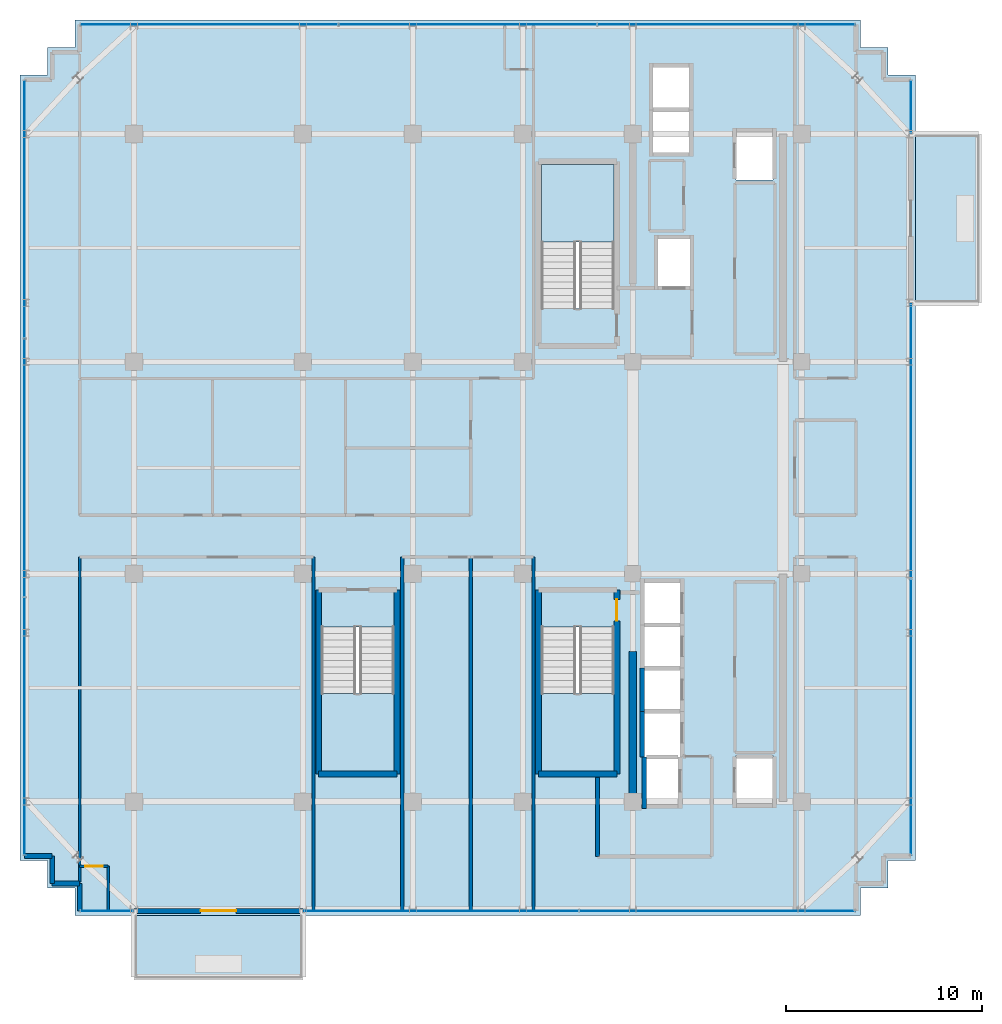
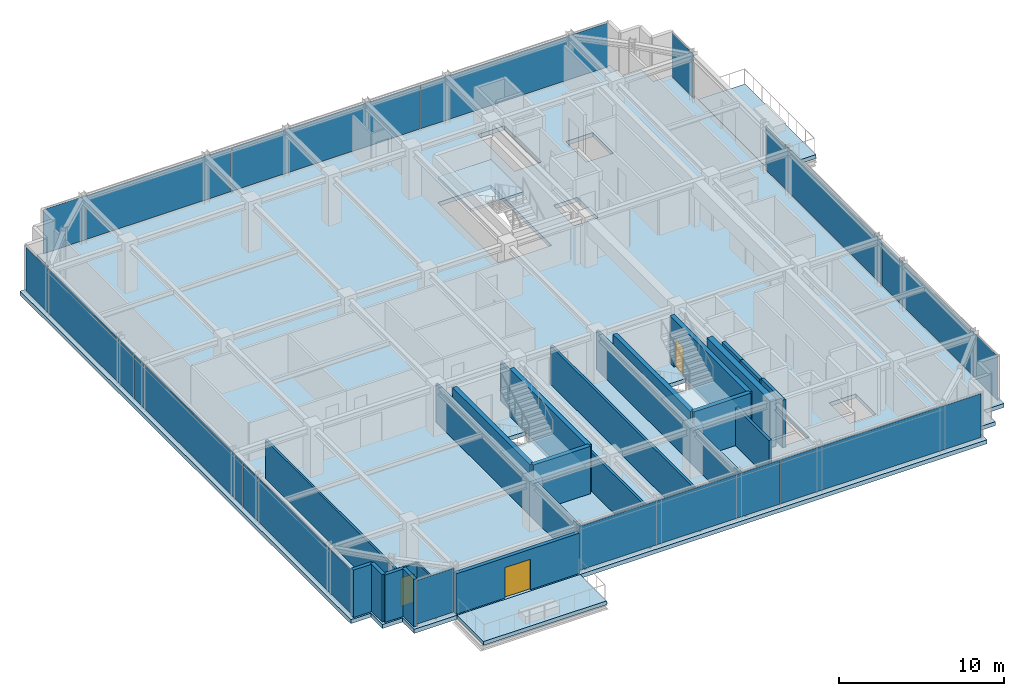
# One storey, part 26 of 32: 23 walls, 12 plates, 6 slabs, 3 doors, 3 openings, 9 elements without a shape of their own.
"""IFC4 building model written with IfcOpenShell, lengths in metres."""

from ifc_helpers import new_model, si_unit, direction, frame, frame_2d, origin, origin_2d, place, context, subcontext, project, spatial, polyline, rectangle, outline, extrude, source, transform, mapped, material, layer, layer_set, type_object, element, fill, aggregate, save


model = new_model("IFC4")

# Units and contexts
model_context = context("Model", 3, precision=1e-05, world=origin(), true_north=direction((0.0, 1.0)))
body_context = subcontext(model_context, "Body", "Model", "MODEL_VIEW")
ifc_project = project(units=[si_unit("LENGTHUNIT", "METRE"), si_unit("AREAUNIT", "SQUARE_METRE"), si_unit("VOLUMEUNIT", "CUBIC_METRE"), si_unit("PLANEANGLEUNIT", "RADIAN"), si_unit("MASSUNIT", "GRAM", prefix="KILO")], contexts=[model_context])

# Site, building, storey
site_placement = place(None, origin())
site = spatial("IfcSite", under=ifc_project, at=site_placement, CompositionType="ELEMENT")
building_placement = place(site_placement, origin())
building = spatial("IfcBuilding", under=site, at=building_placement, Name="Nahalor Promenade Grand Hotel", CompositionType="ELEMENT")
storey_placement = place(building_placement, frame((0.0, 0.0, 330.949951171875)))
storey = spatial("IfcBuildingStorey", under=building, at=storey_placement, Name="L85", CompositionType="ELEMENT", Elevation=330.949951171875)

# Stair, slab
ifc_material_1 = material(Name="Concrete B-50 (C40/50)", Category="concrete")
stair_type_1 = type_object("IfcStairType", Name="Stair-ST1", PredefinedType="HALF_TURN_STAIR", material=ifc_material_1)
stair_1_placement = place(storey_placement, origin())
stair_1 = element("IfcStair", 1, at=stair_1_placement, inside=storey, type_object=stair_type_1, Name="L85 ST1", PredefinedType="HALF_TURN_STAIR")
ifc_layer_1 = layer(ifc_material_1, 0.199951171875)
ifc_layer_set_1 = layer_set([ifc_layer_1], Name="Concrete B-50 (C40/50)")
slab_type_1 = type_object("IfcSlabType", Name="Landing-ST1", PredefinedType="LANDING", material=ifc_layer_set_1)
slab_1_placement = place(storey_placement, frame((0.0, 0.0, 1.699951171875)))
slab_1 = element("IfcSlab", 2, at=slab_1_placement, type_object=slab_type_1, Name="ST1 landing 1", PredefinedType="LANDING", context=body_context, shape_type="SweptSolid", body=[
    extrude(outline(polyline([(7.449951171875, 11.5), (7.449951171875, 15.449951171875), (3.75, 15.449951171875), (3.75, 11.5), (7.449951171875, 11.5)])), origin(), (0.0, 0.0, 1.0), 0.2001953125),
])
aggregate(stair_1, [slab_1])

stair_type_2 = type_object("IfcStairType", Name="Stair-ST2", PredefinedType="HALF_TURN_STAIR", material=ifc_material_1)
stair_2_placement = place(storey_placement, origin())
stair_2 = element("IfcStair", 3, at=stair_2_placement, inside=storey, type_object=stair_type_2, Name="L85 ST2", PredefinedType="HALF_TURN_STAIR")
ifc_layer_2 = layer(ifc_material_1, 0.2099609375)
ifc_layer_set_2 = layer_set([ifc_layer_2], Name="Concrete B-50 (C40/50)")
slab_type_2 = type_object("IfcSlabType", Name="Landing-ST2", PredefinedType="LANDING", material=ifc_layer_set_2)
slab_2_placement = place(storey_placement, frame((0.0, 0.0, 1.68994140625)))
slab_2 = element("IfcSlab", 4, at=slab_2_placement, type_object=slab_type_2, Name="ST2 landing 1", PredefinedType="LANDING", context=body_context, shape_type="SweptSolid", body=[
    extrude(outline(polyline([(3.75, -11.5), (3.75, -15.449951171875), (7.449951171875, -15.449951171875), (7.449951171875, -11.5), (3.75, -11.5)])), origin(), (0.0, 0.0, 1.0), 0.210205078125),
])
aggregate(stair_2, [slab_2])

stair_type_3 = type_object("IfcStairType", Name="Stair-ST3", PredefinedType="HALF_TURN_STAIR", material=ifc_material_1)
stair_3_placement = place(storey_placement, origin())
stair_3 = element("IfcStair", 5, at=stair_3_placement, inside=storey, type_object=stair_type_3, Name="L85 ST3", PredefinedType="HALF_TURN_STAIR")
ifc_layer_3 = layer(ifc_material_1, 0.219970703125)
ifc_layer_set_3 = layer_set([ifc_layer_3], Name="Concrete B-50 (C40/50)")
slab_type_3 = type_object("IfcSlabType", Name="Landing-ST3", PredefinedType="LANDING", material=ifc_layer_set_3)
slab_3_placement = place(storey_placement, frame((0.0, 0.0, 1.679931640625)))
slab_3 = element("IfcSlab", 6, at=slab_3_placement, type_object=slab_type_3, Name="ST3 landing 1", PredefinedType="LANDING", context=body_context, shape_type="SweptSolid", body=[
    extrude(outline(polyline([(-7.449951171875, -11.5), (-7.449951171875, -15.449951171875), (-3.75, -15.449951171875), (-3.75, -11.5), (-7.449951171875, -11.5)])), origin(), (0.0, 0.0, 1.0), 0.22021484375),
])
aggregate(stair_3, [slab_3])

# Slabs
ifc_layer_4 = layer(ifc_material_1, 0.280029296875)
ifc_layer_set_4 = layer_set([ifc_layer_4], Name="Concrete B-50 (C40/50)")
slab_type_4 = type_object("IfcSlabType", Name="Slab-Balcony-280", PredefinedType="FLOOR", material=ifc_layer_set_4)
slab_4_placement = place(storey_placement, frame((0.0, 0.0, -0.280029296875)))
element("IfcSlab", 7, at=slab_4_placement, inside=storey, type_object=slab_type_4, Name="L85 Cantilevered Planted Balcony 1", PredefinedType="FLOOR", context=body_context, shape_type="SweptSolid", body=[
    extrude(outline(polyline([(-17.0, -26.010009765625), (-8.39990234375, -26.010009765625), (-8.39990234375, -22.800048828125), (-17.0, -22.800048828125), (-17.0, -26.010009765625)])), origin(), (0.0, 0.0, 1.0), 0.280029296875),
])
slab_5_placement = place(storey_placement, frame((0.0, 0.0, -0.280029296875)))
element("IfcSlab", 8, at=slab_5_placement, inside=storey, type_object=slab_type_4, Name="L85 Cantilevered Planted Balcony 2", PredefinedType="FLOOR", context=body_context, shape_type="SweptSolid", body=[
    extrude(outline(polyline([(22.800048828125, 8.39990234375), (26.080078125, 8.39990234375), (26.080078125, 17.0), (22.800048828125, 17.0), (22.800048828125, 8.39990234375)])), origin(), (0.0, 0.0, 1.0), 0.280029296875),
])
ifc_layer_5 = layer(ifc_material_1, 0.300048828125)
ifc_layer_set_5 = layer_set([ifc_layer_5], Name="Concrete B-50 (C40/50)")
slab_type_5 = type_object("IfcSlabType", Name="Slab-TowerZ5-300", PredefinedType="FLOOR", material=ifc_layer_set_5)
slab_6_placement = place(storey_placement, frame((0.0, 0.0, -0.300048828125)))
element("IfcSlab", 9, at=slab_6_placement, inside=storey, type_object=slab_type_5, Name="L85 Suspended Structural Floor Slab", PredefinedType="FLOOR", context=body_context, shape_type="SweptSolid", body=[
    extrude(outline(polyline([(-20.0, -22.800048828125), (20.0, -22.800048828125), (20.0, -21.39990234375), (21.39990234375, -21.39990234375), (21.39990234375, -20.0), (22.800048828125, -20.0), (22.800048828125, 20.0), (21.39990234375, 20.0), (21.39990234375, 21.39990234375), (20.0, 21.39990234375), (20.0, 22.800048828125), (-20.0, 22.800048828125), (-20.0, 21.39990234375), (-21.39990234375, 21.39990234375), (-21.39990234375, 20.0), (-22.800048828125, 20.0), (-22.800048828125, -20.0), (-21.39990234375, -20.0), (-21.39990234375, -21.39990234375), (-20.0, -21.39990234375), (-20.0, -22.800048828125)]), holes=[polyline([(3.75, 8.10009765625), (7.449951171875, 8.10009765625), (7.449951171875, 15.449951171875), (3.75, 15.449951171875), (3.75, 8.10009765625)]), polyline([(3.75, -15.449951171875), (7.449951171875, -15.449951171875), (7.449951171875, -8.10009765625), (3.75, -8.10009765625), (3.75, -15.449951171875)]), polyline([(-7.449951171875, -15.449951171875), (-3.75, -15.449951171875), (-3.75, -8.10009765625), (-7.449951171875, -8.10009765625), (-7.449951171875, -15.449951171875)]), polyline([(8.9599609375, -17.18994140625), (10.840087890625, -17.18994140625), (10.840087890625, -5.81005859375), (8.9599609375, -5.81005859375), (8.9599609375, -17.18994140625)]), polyline([(9.409912109375, 16.010009765625), (11.2900390625, 16.010009765625), (11.2900390625, 20.43994140625), (9.409912109375, 20.43994140625), (9.409912109375, 16.010009765625)]), polyline([(9.659912109375, 9.2099609375), (11.340087890625, 9.2099609375), (11.340087890625, 11.68994140625), (9.659912109375, 11.68994140625), (9.659912109375, 9.2099609375)]), polyline([(13.659912109375, 14.659912109375), (15.5400390625, 14.659912109375), (15.5400390625, 17.139892578125), (13.659912109375, 17.139892578125), (13.659912109375, 14.659912109375)]), polyline([(13.659912109375, -17.139892578125), (15.5400390625, -17.139892578125), (15.5400390625, -14.659912109375), (13.659912109375, -14.659912109375), (13.659912109375, -17.139892578125)])]), origin(), (0.0, 0.0, 1.0), 0.300048828125),
])

# Curtain wall, plate
ifc_material_2 = material(Name="Anodised Bronze Aluminium EN AW-6063 T6", Category="aluminium")
curtain_wall_type = type_object("IfcCurtainWallType", Name="CW2 Typical Hotel Flush Bronze Unitised Curtain Wall", PredefinedType="USERDEFINED", material=ifc_material_2)
curtain_wall_1_placement = place(storey_placement, origin())
curtain_wall_1 = element("IfcCurtainWall", 10, at=curtain_wall_1_placement, inside=storey, type_object=curtain_wall_type, Name="L85 Curtain Wall CW-L85-S-1", ObjectType="UNITISED_CURTAIN_WALL", PredefinedType="USERDEFINED")
ifc_material_3 = material(Name="Low-E Laminated Solar Glass", Category="glass")
ifc_layer_6 = layer(ifc_material_3, 0.028076171875)
ifc_layer_set_6 = layer_set([ifc_layer_6], Name="Low-E Laminated Solar Glass")
plate_type = type_object("IfcPlateType", Name="CWP2 Bronze Low-E Vision IGU 28mm", PredefinedType="CURTAIN_PANEL", material=ifc_layer_set_6)
shared_shape_1 = source(origin(), body_context, "Body", "SweptSolid", [
    extrude(rectangle(XDim=2.6298828125, YDim=0.028076171875, at=origin_2d()), origin(), (0.0, 0.0, 1.0), 3.239990234375),
])
plate_1_placement = place(storey_placement, frame((-18.3798828125, -22.56005859375, 0.1298828125), z_axis=(0.0, 0.0, 1.0), x_axis=(1.0, 0.0, 0.0)))
plate_1 = element("IfcPlate", 11, at=plate_1_placement, type_object=plate_type, Name="CW-L85-S-1 Glazing Panel 0-0", PredefinedType="CURTAIN_PANEL", context=body_context, shape_type="MappedRepresentation", body=[
    mapped(shared_shape_1, transform((0.0, 0.0, 0.0), scale=1.0)),
])
aggregate(curtain_wall_1, [plate_1])

curtain_wall_2_placement = place(storey_placement, origin())
curtain_wall_2 = element("IfcCurtainWall", 12, at=curtain_wall_2_placement, inside=storey, type_object=curtain_wall_type, Name="L85 Curtain Wall CW-L85-E-3", ObjectType="UNITISED_CURTAIN_WALL", PredefinedType="USERDEFINED")
plate_2_placement = place(storey_placement, frame((22.56005859375, 18.3798828125, 0.1298828125), z_axis=(0.0, 0.0, 1.0), x_axis=(0.0, 1.0, 0.0)))
plate_2 = element("IfcPlate", 13, at=plate_2_placement, type_object=plate_type, Name="CW-L85-E-3 Glazing Panel 0-0", PredefinedType="CURTAIN_PANEL", context=body_context, shape_type="MappedRepresentation", body=[
    mapped(shared_shape_1, transform((0.0, 0.0, 0.0), scale=1.0)),
])
aggregate(curtain_wall_2, [plate_2])

# Curtain wall, plates
curtain_wall_3_placement = place(storey_placement, origin())
curtain_wall_3 = element("IfcCurtainWall", 14, at=curtain_wall_3_placement, inside=storey, type_object=curtain_wall_type, Name="L85 Curtain Wall CW-L85-S-3", ObjectType="UNITISED_CURTAIN_WALL", PredefinedType="USERDEFINED")
shared_shape_2 = source(origin(), body_context, "Body", "SweptSolid", [
    extrude(rectangle(XDim=13.982421875, YDim=0.028076171875, at=origin_2d()), origin(), (0.0, 0.0, 1.0), 3.239990234375),
])
plate_3_placement = place(storey_placement, frame((-1.34375, -22.56005859375, 0.1298828125), z_axis=(0.0, 0.0, 1.0), x_axis=(1.0, 0.0, 0.0)))
plate_3 = element("IfcPlate", 15, at=plate_3_placement, type_object=plate_type, Name="CW-L85-S-3 Glazing Panel 0-0", PredefinedType="CURTAIN_PANEL", context=body_context, shape_type="MappedRepresentation", body=[
    mapped(shared_shape_2, transform((0.0, 0.0, 0.0), scale=1.0)),
])
plate_4_placement = place(storey_placement, frame((12.703857421875, -22.56005859375, 0.1298828125), z_axis=(0.0, 0.0, 1.0), x_axis=(1.0, 0.0, 0.0)))
plate_4 = element("IfcPlate", 16, at=plate_4_placement, type_object=plate_type, Name="CW-L85-S-3 Glazing Panel 1-0", PredefinedType="CURTAIN_PANEL", context=body_context, shape_type="MappedRepresentation", body=[
    mapped(shared_shape_2, transform((0.0, 0.0, 0.0), scale=1.0)),
])
aggregate(curtain_wall_3, [plate_3, plate_4])

curtain_wall_4_placement = place(storey_placement, origin())
curtain_wall_4 = element("IfcCurtainWall", 17, at=curtain_wall_4_placement, inside=storey, type_object=curtain_wall_type, Name="L85 Curtain Wall CW-L85-E-1", ObjectType="UNITISED_CURTAIN_WALL", PredefinedType="USERDEFINED")
plate_5_placement = place(storey_placement, frame((22.56005859375, -12.703857421875, 0.1298828125), z_axis=(0.0, 0.0, 1.0), x_axis=(0.0, 1.0, 0.0)))
plate_5 = element("IfcPlate", 18, at=plate_5_placement, type_object=plate_type, Name="CW-L85-E-1 Glazing Panel 0-0", PredefinedType="CURTAIN_PANEL", context=body_context, shape_type="MappedRepresentation", body=[
    mapped(shared_shape_2, transform((0.0, 0.0, 0.0), scale=1.0)),
])
plate_6_placement = place(storey_placement, frame((22.56005859375, 1.34375, 0.1298828125), z_axis=(0.0, 0.0, 1.0), x_axis=(0.0, 1.0, 0.0)))
plate_6 = element("IfcPlate", 19, at=plate_6_placement, type_object=plate_type, Name="CW-L85-E-1 Glazing Panel 1-0", PredefinedType="CURTAIN_PANEL", context=body_context, shape_type="MappedRepresentation", body=[
    mapped(shared_shape_2, transform((0.0, 0.0, 0.0), scale=1.0)),
])
aggregate(curtain_wall_4, [plate_5, plate_6])

curtain_wall_5_placement = place(storey_placement, origin())
curtain_wall_5 = element("IfcCurtainWall", 20, at=curtain_wall_5_placement, inside=storey, type_object=curtain_wall_type, Name="L85 Curtain Wall CW-L85-N-1", ObjectType="UNITISED_CURTAIN_WALL", PredefinedType="USERDEFINED")
shared_shape_3 = source(origin(), body_context, "Body", "SweptSolid", [
    extrude(rectangle(XDim=13.075927734375, YDim=0.028076171875, at=origin_2d()), origin(), (0.0, 0.0, 1.0), 3.239990234375),
])
plate_7_placement = place(storey_placement, frame((-13.156982421875, 22.56005859375, 0.1298828125), z_axis=(0.0, 0.0, 1.0), x_axis=(1.0, 0.0, 0.0)))
plate_7 = element("IfcPlate", 21, at=plate_7_placement, type_object=plate_type, Name="CW-L85-N-1 Glazing Panel 0-0", PredefinedType="CURTAIN_PANEL", context=body_context, shape_type="MappedRepresentation", body=[
    mapped(shared_shape_3, transform((0.0, 0.0, 0.0), scale=1.0)),
])
plate_8_placement = place(storey_placement, frame((13.156982421875, 22.56005859375, 0.1298828125), z_axis=(0.0, 0.0, 1.0), x_axis=(1.0, 0.0, 0.0)))
plate_8 = element("IfcPlate", 22, at=plate_8_placement, type_object=plate_type, Name="CW-L85-N-1 Glazing Panel 2-0", PredefinedType="CURTAIN_PANEL", context=body_context, shape_type="MappedRepresentation", body=[
    mapped(shared_shape_3, transform((0.0, 0.0, 0.0), scale=1.0)),
])

curtain_wall_6_placement = place(storey_placement, origin())
curtain_wall_6 = element("IfcCurtainWall", 23, at=curtain_wall_6_placement, inside=storey, type_object=curtain_wall_type, Name="L85 Curtain Wall CW-L85-W-1", ObjectType="UNITISED_CURTAIN_WALL", PredefinedType="USERDEFINED")
plate_9_placement = place(storey_placement, frame((-22.56005859375, -13.156982421875, 0.1298828125), z_axis=(0.0, 0.0, 1.0), x_axis=(0.0, 1.0, 0.0)))
plate_9 = element("IfcPlate", 24, at=plate_9_placement, type_object=plate_type, Name="CW-L85-W-1 Glazing Panel 0-0", PredefinedType="CURTAIN_PANEL", context=body_context, shape_type="MappedRepresentation", body=[
    mapped(shared_shape_3, transform((0.0, 0.0, 0.0), scale=1.0)),
])
plate_10_placement = place(storey_placement, frame((-22.56005859375, 13.156982421875, 0.1298828125), z_axis=(0.0, 0.0, 1.0), x_axis=(0.0, 1.0, 0.0)))
plate_10 = element("IfcPlate", 25, at=plate_10_placement, type_object=plate_type, Name="CW-L85-W-1 Glazing Panel 2-0", PredefinedType="CURTAIN_PANEL", context=body_context, shape_type="MappedRepresentation", body=[
    mapped(shared_shape_3, transform((0.0, 0.0, 0.0), scale=1.0)),
])

# Plate
shared_shape_4 = source(origin(), body_context, "Body", "SweptSolid", [
    extrude(rectangle(XDim=13.1083984375, YDim=0.028076171875, at=origin_2d()), origin(), (0.0, 0.0, 1.0), 3.239990234375),
])
plate_11_placement = place(storey_placement, frame((0.0, 22.56005859375, 0.1298828125), z_axis=(0.0, 0.0, 1.0), x_axis=(1.0, 0.0, 0.0)))
plate_11 = element("IfcPlate", 26, at=plate_11_placement, type_object=plate_type, Name="CW-L85-N-1 Glazing Panel 1-0", PredefinedType="CURTAIN_PANEL", context=body_context, shape_type="MappedRepresentation", body=[
    mapped(shared_shape_4, transform((0.0, 0.0, 0.0), scale=1.0)),
])

aggregate(curtain_wall_5, [plate_7, plate_11, plate_8])

plate_12_placement = place(storey_placement, frame((-22.56005859375, 0.0, 0.1298828125), z_axis=(0.0, 0.0, 1.0), x_axis=(0.0, 1.0, 0.0)))
plate_12 = element("IfcPlate", 27, at=plate_12_placement, type_object=plate_type, Name="CW-L85-W-1 Glazing Panel 1-0", PredefinedType="CURTAIN_PANEL", context=body_context, shape_type="MappedRepresentation", body=[
    mapped(shared_shape_4, transform((0.0, 0.0, 0.0), scale=1.0)),
])

aggregate(curtain_wall_6, [plate_9, plate_12, plate_10])

# Walls
ifc_layer_7 = layer(ifc_material_1, 0.39990234375)
ifc_layer_set_7 = layer_set([ifc_layer_7], Name="Concrete B-50 (C40/50)")
wall_type_1 = type_object("IfcWallType", Name="Wall-CoreShear-400", PredefinedType="SHEAR", material=ifc_layer_set_7)
shared_shape_5 = source(origin(), body_context, "Body", "SweptSolid", [
    extrude(rectangle(XDim=7.64990234375, YDim=0.39990234375, at=frame_2d((3.824951171875, 0.0))), origin(), (0.0, 0.0, 1.0), 3.5),
])
wall_1_placement = place(storey_placement, frame((8.39990234375, -17.0, 0.0), z_axis=(0.0, 0.0, 1.0), x_axis=(0.0, 1.0, 0.0)))
element("IfcWall", 28, at=wall_1_placement, inside=storey, type_object=wall_type_1, Name="CWALL-L85-SW", PredefinedType="SHEAR", context=body_context, shape_type="MappedRepresentation", body=[
    mapped(shared_shape_5, transform((0.0, 0.0, 0.0), scale=1.0)),
])
ifc_layer_8 = layer(ifc_material_1, 0.300048828125)
ifc_layer_set_8 = layer_set([ifc_layer_8], Name="Concrete B-50 (C40/50)")
wall_type_2 = type_object("IfcWallType", Name="Wall-ShaftShear-300", PredefinedType="SHEAR", material=ifc_layer_set_8)
shared_shape_6 = source(origin(), body_context, "Body", "SweptSolid", [
    extrude(rectangle(XDim=3.97998046875, YDim=0.300048828125, at=frame_2d((1.989990234375, 0.0))), origin(), (0.0, 0.0, 1.0), 3.5),
])
for number, where, z_axis, x_axis, name in (
    (29, (3.610107421875, -15.590087890625, 0.0), (0.0, 0.0, 1.0), (1.0, 0.0, 0.0), "L85 Exit Stair ST2 Shaft Wall S"),
    (30, (-7.590087890625, -15.590087890625, 0.0), (0.0, 0.0, 1.0), (1.0, 0.0, 0.0), "L85 Exit Stair ST3 Shaft Wall S"),
):
    element("IfcWall", number, at=place(storey_placement, frame(where, z_axis=z_axis, x_axis=x_axis)), inside=storey, type_object=wall_type_2, Name=name, PredefinedType="SHEAR", context=body_context, shape_type="MappedRepresentation", body=[
        mapped(shared_shape_6, transform((0.0, 0.0, 0.0), scale=1.0)),
    ])
shared_shape_7 = source(origin(), body_context, "Body", "SweptSolid", [
    extrude(rectangle(XDim=9.380126953125, YDim=0.300048828125, at=frame_2d((4.68994140625, 0.0))), origin(), (0.0, 0.0, 1.0), 3.5),
])
wall_2_placement = place(storey_placement, frame((3.610107421875, -15.590087890625, 0.0), z_axis=(0.0, 0.0, 1.0), x_axis=(0.0, 1.0, 0.0)))
element("IfcWall", 31, at=wall_2_placement, inside=storey, type_object=wall_type_2, Name="L85 Exit Stair ST2 Shaft Wall W", PredefinedType="SHEAR", context=body_context, shape_type="MappedRepresentation", body=[
    mapped(shared_shape_7, transform((0.0, 0.0, 0.0), scale=1.0)),
])

# Wall, opening, door
wall_3_placement = place(storey_placement, frame((7.590087890625, -15.590087890625, 0.0), z_axis=(0.0, 0.0, 1.0), x_axis=(0.0, 1.0, 0.0)))
wall_3 = element("IfcWall", 32, at=wall_3_placement, inside=storey, type_object=wall_type_2, Name="L85 Exit Stair ST2 Shaft Wall E", PredefinedType="SHEAR", context=body_context, shape_type="MappedRepresentation", body=[
    mapped(shared_shape_7, transform((0.0, 0.0, 0.0), scale=1.0)),
])
opening_1_placement = place(wall_3_placement, frame((7.7900390625, 0.0, 0.0)))
opening_1 = element("IfcOpeningElement", 33, at=opening_1_placement, cuts=wall_3, Name="Opening D-ST1", PredefinedType="OPENING", context=body_context, shape_type="SweptSolid", body=[
    extrude(rectangle(XDim=1.10009765625, YDim=2.14990234375, at=frame_2d((0.550048828125, 1.074951171875))), frame((0.0, 0.159912109375, 0.0), z_axis=(0.0, -1.0, 0.0), x_axis=(1.0, 0.0, 0.0)), (0.0, 0.0, 1.0), 0.320068359375),
])
ifc_material_4 = material(Name="Steel S355JR", Category="steel")
door_type_1 = type_object("IfcDoorType", Name="Door-StairFire-1100", OperationType="NOTDEFINED", PredefinedType="DOOR", material=ifc_material_4)
shared_shape_8 = source(origin(), body_context, "Body", "SweptSolid", [
    extrude(rectangle(XDim=1.10009765625, YDim=2.14990234375, at=frame_2d((0.550048828125, 1.074951171875))), frame((0.0, 0.02490234375, 0.0), z_axis=(0.0, -1.0, 0.0), x_axis=(1.0, 0.0, 0.0)), (0.0, 0.0, 1.0), 0.050048828125),
])
door_1_placement = place(opening_1_placement, origin())
door_1 = element("IfcDoor", 34, at=door_1_placement, inside=storey, type_object=door_type_1, Name="DR-STAIR-ST2-L85", OperationType="SINGLE_SWING_RIGHT", OverallHeight=2.14990234375, OverallWidth=1.10009765625, PredefinedType="DOOR", context=body_context, shape_type="MappedRepresentation", body=[
    mapped(shared_shape_8, transform((0.0, 0.0, 0.0), scale=1.0)),
])
fill(opening_1, door_1)

# Walls
for number, where, z_axis, x_axis, name in (
    (35, (-7.590087890625, -15.590087890625, 0.0), (0.0, 0.0, 1.0), (0.0, 1.0, 0.0), "L85 Exit Stair ST3 Shaft Wall W"),
    (36, (-3.610107421875, -15.590087890625, 0.0), (0.0, 0.0, 1.0), (0.0, 1.0, 0.0), "L85 Exit Stair ST3 Shaft Wall E"),
):
    element("IfcWall", number, at=place(storey_placement, frame(where, z_axis=z_axis, x_axis=x_axis)), inside=storey, type_object=wall_type_2, Name=name, PredefinedType="SHEAR", context=body_context, shape_type="MappedRepresentation", body=[
        mapped(shared_shape_7, transform((0.0, 0.0, 0.0), scale=1.0)),
    ])
ifc_layer_9 = layer(ifc_material_1, 0.219970703125)
ifc_layer_set_9 = layer_set([ifc_layer_9], Name="Concrete B-50 (C40/50)")
wall_type_3 = type_object("IfcWallType", Name="Wall-LiftShaft-220", PredefinedType="SHEAR", material=ifc_layer_set_9)
shared_shape_9 = source(origin(), body_context, "Body", "SweptSolid", [
    extrude(rectangle(XDim=2.199951171875, YDim=0.219970703125, at=frame_2d((1.10009765625, 0.0))), origin(), (0.0, 0.0, 1.0), 3.5),
])
wall_4_placement = place(storey_placement, frame((8.8798828125, -12.39990234375, 0.0), z_axis=(0.0, 0.0, 1.0), x_axis=(0.0, 1.0, 0.0)))
element("IfcWall", 37, at=wall_4_placement, inside=storey, type_object=wall_type_3, Name="L85 Lift PL11 Hoistway Wall W", PredefinedType="SHEAR", context=body_context, shape_type="MappedRepresentation", body=[
    mapped(shared_shape_9, transform((0.0, 0.0, 0.0), scale=1.0)),
])
shared_shape_10 = source(origin(), body_context, "Body", "SweptSolid", [
    extrude(rectangle(XDim=2.3251953125, YDim=0.219970703125, at=frame_2d((1.16259765625, 0.0))), origin(), (0.0, 0.0, 1.0), 3.5),
])
wall_5_placement = place(storey_placement, frame((8.8798828125, -14.72509765625, 0.0), z_axis=(0.0, 0.0, 1.0), x_axis=(0.0, 1.0, 0.0)))
element("IfcWall", 38, at=wall_5_placement, inside=storey, type_object=wall_type_3, Name="L85 Lift PL12 Hoistway Wall W", PredefinedType="SHEAR", context=body_context, shape_type="MappedRepresentation", body=[
    mapped(shared_shape_10, transform((0.0, 0.0, 0.0), scale=1.0)),
])
shared_shape_11 = source(origin(), body_context, "Body", "SweptSolid", [
    extrude(rectangle(XDim=2.635009765625, YDim=0.219970703125, at=frame_2d((1.3173828125, 0.0))), origin(), (0.0, 0.0, 1.0), 3.5),
])
wall_6_placement = place(storey_placement, frame((8.97998046875, -17.360107421875, 0.0), z_axis=(0.0, 0.0, 1.0), x_axis=(0.0, 1.0, 0.0)))
element("IfcWall", 39, at=wall_6_placement, inside=storey, type_object=wall_type_3, Name="L85 Lift FL2 Hoistway Wall W", PredefinedType="SHEAR", context=body_context, shape_type="MappedRepresentation", body=[
    mapped(shared_shape_11, transform((0.0, 0.0, 0.0), scale=1.0)),
])
ifc_material_5 = material(Name="Concrete B-40 (C32/40)", Category="concrete")
ifc_layer_10 = layer(ifc_material_5, 0.25)
ifc_layer_set_10 = layer_set([ifc_layer_10], Name="Concrete B-40 (C32/40)")
wall_type_4 = type_object("IfcWallType", Name="Wall-BronzePier-250", PredefinedType="STANDARD", material=ifc_layer_set_10)
shared_shape_12 = source(origin(), body_context, "Body", "SweptSolid", [
    extrude(rectangle(XDim=1.400146484375, YDim=0.25, at=frame_2d((0.7001953125, 0.0))), origin(), (0.0, 0.0, 1.0), 3.5),
])
for number, where, z_axis, x_axis, name in (
    (40, (-22.56005859375, -19.760009765625, 0.0), (0.0, 0.0, 1.0), (1.0, 0.0, 0.0), "W-L85-SR-13"),
    (41, (-19.760009765625, -22.56005859375, 0.0), (0.0, 0.0, 1.0), (0.0, 1.0, 0.0), "W-L85-SR-16"),
):
    element("IfcWall", number, at=place(storey_placement, frame(where, z_axis=z_axis, x_axis=x_axis)), inside=storey, type_object=wall_type_4, Name=name, PredefinedType="STANDARD", context=body_context, shape_type="MappedRepresentation", body=[
        mapped(shared_shape_12, transform((0.0, 0.0, 0.0), scale=1.0)),
    ])
shared_shape_13 = source(origin(), body_context, "Body", "SweptSolid", [
    extrude(rectangle(XDim=1.39990234375, YDim=0.25, at=frame_2d((0.699951171875, 0.0))), origin(), (0.0, 0.0, 1.0), 3.5),
])
for number, where, z_axis, x_axis, name in (
    (42, (-21.159912109375, -21.159912109375, 0.0), (0.0, 0.0, 1.0), (0.0, 1.0, 0.0), "W-L85-SR-14"),
    (43, (-21.159912109375, -21.159912109375, 0.0), (0.0, 0.0, 1.0), (1.0, 0.0, 0.0), "W-L85-SR-15"),
):
    element("IfcWall", number, at=place(storey_placement, frame(where, z_axis=z_axis, x_axis=x_axis)), inside=storey, type_object=wall_type_4, Name=name, PredefinedType="STANDARD", context=body_context, shape_type="MappedRepresentation", body=[
        mapped(shared_shape_13, transform((0.0, 0.0, 0.0), scale=1.0)),
    ])

# Wall, opening, door
ifc_layer_11 = layer(ifc_material_5, 0.260009765625)
ifc_layer_set_11 = layer_set([ifc_layer_11], Name="Concrete B-40 (C32/40)")
wall_type_5 = type_object("IfcWallType", Name="Wall-BalconyWall-260", PredefinedType="STANDARD", material=ifc_layer_set_11)
shared_shape_14 = source(origin(), body_context, "Body", "SweptSolid", [
    extrude(rectangle(XDim=8.60009765625, YDim=0.260009765625, at=frame_2d((4.300048828125, 0.0))), origin(), (0.0, 0.0, 1.0), 2.97998046875),
])
wall_7_placement = place(storey_placement, frame((-17.0, -22.56005859375, 0.0), z_axis=(0.0, 0.0, 1.0), x_axis=(1.0, 0.0, 0.0)))
wall_7 = element("IfcWall", 44, at=wall_7_placement, inside=storey, type_object=wall_type_5, Name="W-L85-BALC-S-2", PredefinedType="STANDARD", context=body_context, shape_type="MappedRepresentation", body=[
    mapped(shared_shape_14, transform((0.0, 0.0, 0.0), scale=1.0)),
])
opening_2_placement = place(wall_7_placement, frame((3.39990234375, 0.0, 0.0)))
opening_2 = element("IfcOpeningElement", 45, at=opening_2_placement, cuts=wall_7, Name="Opening D-BC1", PredefinedType="OPENING", context=body_context, shape_type="SweptSolid", body=[
    extrude(rectangle(XDim=1.800048828125, YDim=2.25, at=frame_2d((0.89990234375, 1.125))), frame((0.0, 0.139892578125, 0.0), z_axis=(0.0, -1.0, 0.0), x_axis=(1.0, 0.0, 0.0)), (0.0, 0.0, 1.0), 0.280029296875),
])
door_type_2 = type_object("IfcDoorType", Name="Door-BalconySlide-1800", OperationType="DOUBLE_DOOR_SLIDING", PredefinedType="DOOR", material=ifc_material_2)
shared_shape_15 = source(origin(), body_context, "Body", "SweptSolid", [
    extrude(rectangle(XDim=1.800048828125, YDim=2.25, at=frame_2d((0.89990234375, 1.125))), frame((0.0, 0.02490234375, 0.0), z_axis=(0.0, -1.0, 0.0), x_axis=(1.0, 0.0, 0.0)), (0.0, 0.0, 1.0), 0.050048828125),
])
door_2_placement = place(opening_2_placement, frame((1.800048828125, 0.0, 0.0), z_axis=(0.0, 0.0, 1.0), x_axis=(-1.0, 0.0, 0.0)))
door_2 = element("IfcDoor", 46, at=door_2_placement, inside=storey, type_object=door_type_2, Name="DR-L85-BALC-S-2", OperationType="DOUBLE_DOOR_SLIDING", OverallHeight=2.25, OverallWidth=1.800048828125, PredefinedType="DOOR", context=body_context, shape_type="MappedRepresentation", body=[
    mapped(shared_shape_15, transform((0.0, 0.0, 0.0), scale=1.0)),
])
fill(opening_2, door_2)

# Walls
ifc_layer_12 = layer(ifc_material_5, 0.199951171875)
ifc_layer_set_12 = layer_set([ifc_layer_12], Name="Concrete B-40 (C32/40)")
wall_type_6 = type_object("IfcWallType", Name="Wall-PartFire-200", PredefinedType="PARTITIONING", material=ifc_layer_set_12)
shared_shape_16 = source(origin(), body_context, "Body", "SweptSolid", [
    extrude(rectangle(XDim=4.030029296875, YDim=0.199951171875, at=frame_2d((2.01513671875, 0.0))), origin(), (0.0, 0.0, 1.0), 2.840087890625),
])
wall_8_placement = place(storey_placement, frame((6.60009765625, -19.800048828125, 0.0), z_axis=(0.0, 0.0, 1.0), x_axis=(0.0, 1.0, 0.0)))
element("IfcWall", 47, at=wall_8_placement, inside=storey, type_object=wall_type_6, Name="W-L85-FF2-W1", PredefinedType="PARTITIONING", context=body_context, shape_type="MappedRepresentation", body=[
    mapped(shared_shape_16, transform((0.0, 0.0, 0.0), scale=1.0)),
])
ifc_material_6 = material(Name="Acoustic Mineral Gypsum", Category="gypsum")
ifc_layer_13 = layer(ifc_material_6, 0.159912109375)
ifc_layer_set_13 = layer_set([ifc_layer_13], Name="Acoustic Mineral Gypsum")
wall_type_7 = type_object("IfcWallType", Name="Wall-PartCorridor-160", PredefinedType="PARTITIONING", material=ifc_layer_set_13)
shared_shape_17 = source(origin(), body_context, "Body", "SweptSolid", [
    extrude(rectangle(XDim=17.949951171875, YDim=0.159912109375, at=frame_2d((8.97509765625, 0.0))), origin(), (0.0, 0.0, 1.0), 2.840087890625),
])
for number, where, z_axis, x_axis, name in (
    (48, (-3.340087890625, -22.5, 0.0), (0.0, 0.0, 1.0), (0.0, 1.0, 0.0), "W-L85-SCB1-W"),
    (49, (0.14990234375, -22.5, 0.0), (0.0, 0.0, 1.0), (0.0, 1.0, 0.0), "W-L85-SCB1-E"),
    (50, (3.340087890625, -22.5, 0.0), (0.0, 0.0, 1.0), (0.0, 1.0, 0.0), "W-L85-SCB2-E"),
):
    element("IfcWall", number, at=place(storey_placement, frame(where, z_axis=z_axis, x_axis=x_axis)), inside=storey, type_object=wall_type_7, Name=name, PredefinedType="PARTITIONING", context=body_context, shape_type="MappedRepresentation", body=[
        mapped(shared_shape_17, transform((0.0, 0.0, 0.0), scale=1.0)),
    ])
ifc_layer_14 = layer(ifc_material_6, 0.139892578125)
ifc_layer_set_14 = layer_set([ifc_layer_14], Name="Acoustic Mineral Gypsum")
wall_type_8 = type_object("IfcWallType", Name="Wall-PartSuite-140", PredefinedType="PARTITIONING", material=ifc_layer_set_14)
shared_shape_18 = source(origin(), body_context, "Body", "SweptSolid", [
    extrude(rectangle(XDim=16.530029296875, YDim=0.139892578125, at=frame_2d((8.26513671875, 0.0))), origin(), (0.0, 0.0, 1.0), 2.840087890625),
])
wall_9_placement = place(storey_placement, frame((-19.760009765625, -21.080078125, 0.0), z_axis=(0.0, 0.0, 1.0), x_axis=(0.0, 1.0, 0.0)))
element("IfcWall", 51, at=wall_9_placement, inside=storey, type_object=wall_type_8, Name="W-L85-SW-ENDW", PredefinedType="PARTITIONING", context=body_context, shape_type="MappedRepresentation", body=[
    mapped(shared_shape_18, transform((0.0, 0.0, 0.0), scale=1.0)),
])
shared_shape_19 = source(origin(), body_context, "Body", "SweptSolid", [
    extrude(rectangle(XDim=17.949951171875, YDim=0.139892578125, at=frame_2d((8.97509765625, 0.0))), origin(), (0.0, 0.0, 1.0), 2.840087890625),
])
wall_10_placement = place(storey_placement, frame((-7.860107421875, -22.5, 0.0), z_axis=(0.0, 0.0, 1.0), x_axis=(0.0, 1.0, 0.0)))
element("IfcWall", 52, at=wall_10_placement, inside=storey, type_object=wall_type_8, Name="W-L85-SW-ENDE", PredefinedType="PARTITIONING", context=body_context, shape_type="MappedRepresentation", body=[
    mapped(shared_shape_19, transform((0.0, 0.0, 0.0), scale=1.0)),
])
ifc_layer_15 = layer(ifc_material_6, 0.1201171875)
ifc_layer_set_15 = layer_set([ifc_layer_15], Name="Acoustic Mineral Gypsum")
wall_type_9 = type_object("IfcWallType", Name="Wall-PartBath-120", PredefinedType="PARTITIONING", material=ifc_layer_set_15)
shared_shape_20 = source(origin(), body_context, "Body", "SweptSolid", [
    extrude(rectangle(XDim=2.219970703125, YDim=0.1201171875, at=frame_2d((1.10986328125, 0.0))), origin(), (0.0, 0.0, 1.0), 2.840087890625),
])
wall_11_placement = place(storey_placement, frame((-18.31005859375, -22.5, 0.0), z_axis=(0.0, 0.0, 1.0), x_axis=(0.0, 1.0, 0.0)))
element("IfcWall", 53, at=wall_11_placement, inside=storey, type_object=wall_type_9, Name="W-L85-S1-BV", PredefinedType="PARTITIONING", context=body_context, shape_type="MappedRepresentation", body=[
    mapped(shared_shape_20, transform((0.0, 0.0, 0.0), scale=1.0)),
])

# Wall, opening, door
shared_shape_21 = source(origin(), body_context, "Body", "SweptSolid", [
    extrude(rectangle(XDim=1.449951171875, YDim=0.1201171875, at=frame_2d((0.72509765625, 0.0))), origin(), (0.0, 0.0, 1.0), 2.840087890625),
])
wall_12_placement = place(storey_placement, frame((-19.760009765625, -20.280029296875, 0.0), z_axis=(0.0, 0.0, 1.0), x_axis=(1.0, 0.0, 0.0)))
wall_12 = element("IfcWall", 54, at=wall_12_placement, inside=storey, type_object=wall_type_9, Name="W-L85-S1-BH", PredefinedType="PARTITIONING", context=body_context, shape_type="MappedRepresentation", body=[
    mapped(shared_shape_21, transform((0.0, 0.0, 0.0), scale=1.0)),
])
opening_3_placement = place(wall_12_placement, frame((0.284912109375, 0.0, 0.0)))
opening_3 = element("IfcOpeningElement", 55, at=opening_3_placement, cuts=wall_12, Name="Opening D-03", PredefinedType="OPENING", context=body_context, shape_type="SweptSolid", body=[
    extrude(rectangle(XDim=0.8798828125, YDim=2.10009765625, at=frame_2d((0.43994140625, 1.050048828125))), frame((0.0, 0.070068359375, 0.0), z_axis=(0.0, -1.0, 0.0), x_axis=(1.0, 0.0, 0.0)), (0.0, 0.0, 1.0), 0.14013671875),
])
ifc_material_7 = material(Name="Fire-Rated Timber Composite", Category="wood")
door_type_3 = type_object("IfcDoorType", Name="Door-BathSwing-880", OperationType="NOTDEFINED", PredefinedType="DOOR", material=ifc_material_7)
shared_shape_22 = source(origin(), body_context, "Body", "SweptSolid", [
    extrude(rectangle(XDim=0.8798828125, YDim=2.10009765625, at=frame_2d((0.43994140625, 1.050048828125))), frame((0.0, 0.02490234375, 0.0), z_axis=(0.0, -1.0, 0.0), x_axis=(1.0, 0.0, 0.0)), (0.0, 0.0, 1.0), 0.050048828125),
])
door_3_placement = place(opening_3_placement, frame((0.8798828125, 0.0, 0.0), z_axis=(0.0, 0.0, 1.0), x_axis=(-1.0, 0.0, 0.0)))
door_3 = element("IfcDoor", 56, at=door_3_placement, inside=storey, type_object=door_type_3, Name="DR-L85-S1-BATH", OperationType="SINGLE_SWING_LEFT", OverallHeight=2.10009765625, OverallWidth=0.8798828125, PredefinedType="DOOR", context=body_context, shape_type="MappedRepresentation", body=[
    mapped(shared_shape_22, transform((0.0, 0.0, 0.0), scale=1.0)),
])
fill(opening_3, door_3)

save(model, "model.ifc")
